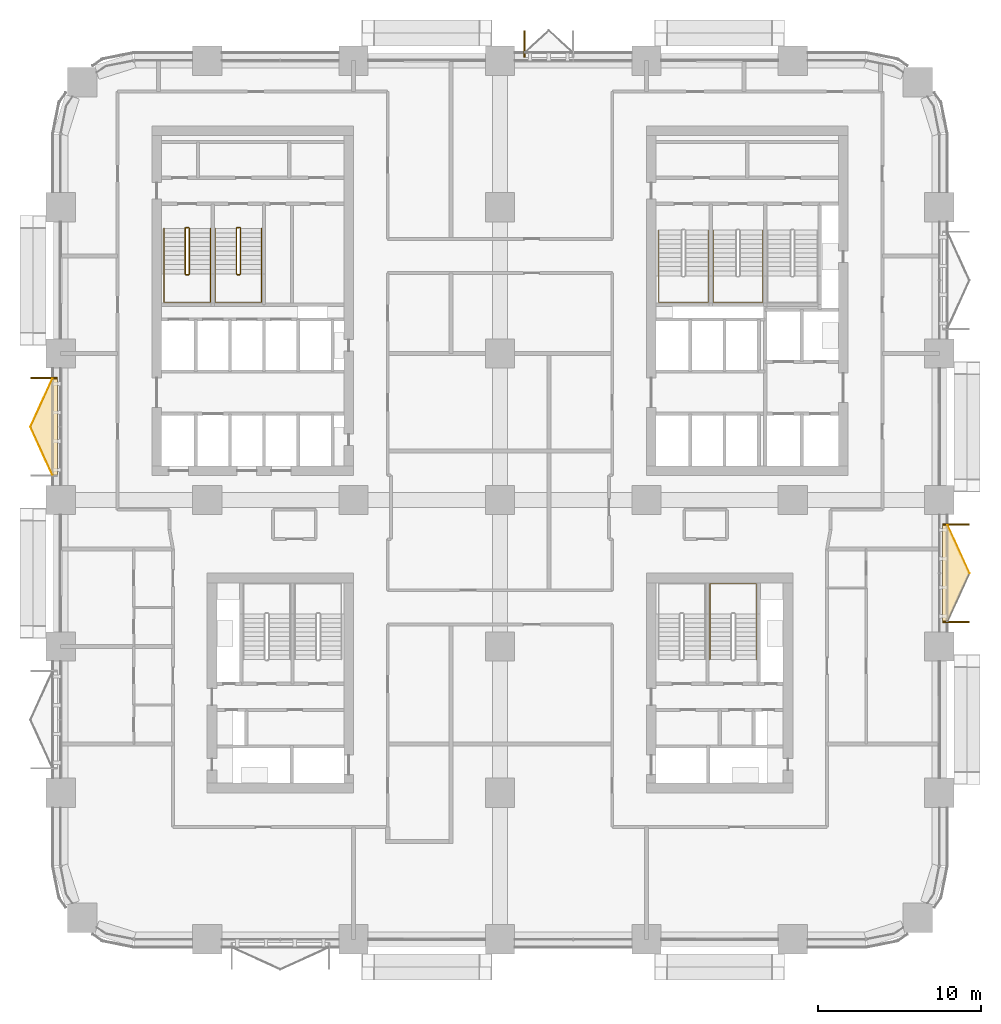
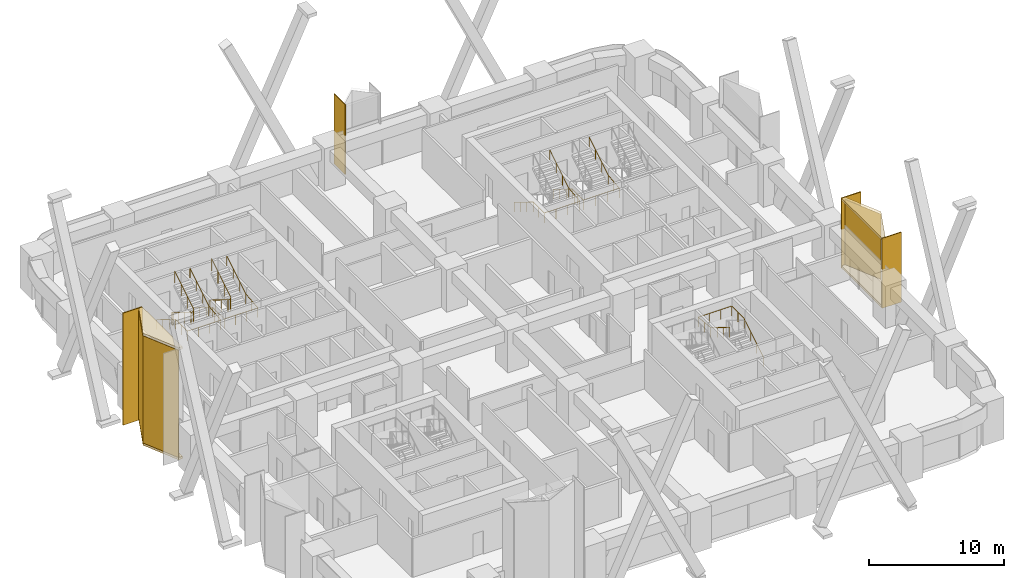
# One storey, part 22 of 23: 11 coverings, 7 railings.
"""IFC4 building model written with IfcOpenShell, lengths in metres."""

from ifc_helpers import new_model, si_unit, direction, frame, origin, origin_2d, place, context, subcontext, project, spatial, polyline, rectangle, circle, outline, extrude, material, layer, layer_set, type_object, element, save


model = new_model("IFC4")

# Units and contexts
model_context = context("Model", 3, precision=1e-05, world=origin(), true_north=direction((0.0, 1.0)))
body_context = subcontext(model_context, "Body", "Model", "MODEL_VIEW")
ifc_project = project(units=[si_unit("LENGTHUNIT", "METRE"), si_unit("AREAUNIT", "SQUARE_METRE"), si_unit("VOLUMEUNIT", "CUBIC_METRE"), si_unit("PLANEANGLEUNIT", "RADIAN"), si_unit("MASSUNIT", "GRAM", prefix="KILO")], contexts=[model_context])

# Site, building, storey
site_placement = place(None, origin())
site = spatial("IfcSite", under=ifc_project, at=site_placement, CompositionType="ELEMENT")
building_placement = place(site_placement, origin())
building = spatial("IfcBuilding", under=site, at=building_placement, Name="Tessera Arch", CompositionType="ELEMENT")
storey_placement = place(building_placement, frame((0.0, 0.0, 46.199951171875)))
storey = spatial("IfcBuildingStorey", under=building, at=storey_placement, Name="L09", CompositionType="ELEMENT", Elevation=46.199951171875)

# Railings
ifc_material_1 = material(Name="Painted steel balustrade", Category="steel")
railing_type_1 = type_object("IfcRailingType", Name="Stair guard 1100", PredefinedType="GUARDRAIL", material=ifc_material_1)
railing_1_placement = place(storey_placement, frame((7.699951171875, 43.75, 0.0)))
element("IfcRailing", 1, at=railing_1_placement, inside=storey, type_object=railing_type_1, Name="L09 S2a stair guard 1", PredefinedType="GUARDRAIL", context=body_context, shape_type="SweptSolid", body=[
    extrude(circle(Radius=0.02392578125, at=origin_2d()), frame((-0.00390625, 0.0, 1.076171875), z_axis=(1.0, 0.0, 0.0), x_axis=(0.0, 1.0, 0.0)), (0.0, 0.0, 1.0), 0.158203125),
    extrude(circle(Radius=0.02392578125, at=origin_2d()), frame((0.153076171875, 0.000732421875, 1.073486328125), z_axis=(-0.743708266585, -0.185927066646, 0.642128600905), x_axis=(0.242535625036, -0.970142500145, 0.0)), (0.0, 0.0, 1.0), 0.277099609375),
    extrude(circle(Radius=0.02392578125, at=origin_2d()), frame((-0.050048828125, -0.046630859375, 1.246826171875), z_axis=(0.0, -0.851089632645, 0.525020415988), x_axis=(1.0, 0.0, 0.0)), (0.0, 0.0, 1.0), 3.2978515625),
    extrude(circle(Radius=0.02392578125, at=origin_2d()), frame((-0.052978515625, -2.84716796875, 2.97607421875), z_axis=(0.708833529934, -0.705375805398, 0.0), x_axis=(0.705375805398, 0.708833529934, 0.0)), (0.0, 0.0, 1.0), 0.07861328125),
    extrude(circle(Radius=0.02392578125, at=origin_2d()), frame((-0.00390625, -2.89990234375, 2.97607421875), z_axis=(1.0, 0.0, 0.0), x_axis=(0.0, 1.0, 0.0)), (0.0, 0.0, 1.0), 0.158203125),
    extrude(circle(Radius=0.02392578125, at=origin_2d()), frame((0.149169921875, -2.90087890625, 2.972412109375), z_axis=(0.26715648603, 0.26715648603, 0.925880566782), x_axis=(-0.707106781187, 0.707106781187, 0.0)), (0.0, 0.0, 1.0), 0.1943359375),
    extrude(circle(Radius=0.02392578125, at=origin_2d()), frame((0.199951171875, -2.853515625, 3.146728515625), z_axis=(0.0, 0.851089632645, 0.525020415988), x_axis=(-1.0, 0.0, 0.0)), (0.0, 0.0, 1.0), 3.2978515625),
    extrude(circle(Radius=0.02099609375, at=origin_2d()), origin(), (0.0, 0.0, 1.0), 1.06396484375),
    extrude(circle(Radius=0.02099609375, at=origin_2d()), frame((0.150146484375, 0.0, 0.0)), (0.0, 0.0, 1.0), 1.06396484375),
    extrude(circle(Radius=0.02099609375, at=origin_2d()), frame((-0.050048828125, -0.050048828125, 0.1728515625)), (0.0, 0.0, 1.0), 1.06396484375),
    extrude(circle(Radius=0.02099609375, at=origin_2d()), frame((-0.050048828125, -0.9833984375, 0.74853515625)), (0.0, 0.0, 1.0), 1.06396484375),
    extrude(circle(Radius=0.02099609375, at=origin_2d()), frame((-0.050048828125, -1.916748046875, 1.324462890625)), (0.0, 0.0, 1.0), 1.06396484375),
    extrude(circle(Radius=0.02099609375, at=origin_2d()), frame((-0.050048828125, -2.85009765625, 1.900146484375)), (0.0, 0.0, 1.0), 1.06396484375),
    extrude(circle(Radius=0.02099609375, at=origin_2d()), frame((0.0, -2.89990234375, 1.900146484375)), (0.0, 0.0, 1.0), 1.06396484375),
    extrude(circle(Radius=0.02099609375, at=origin_2d()), frame((0.150146484375, -2.89990234375, 1.900146484375)), (0.0, 0.0, 1.0), 1.06396484375),
    extrude(circle(Radius=0.02099609375, at=origin_2d()), frame((0.199951171875, -2.85009765625, 2.07275390625)), (0.0, 0.0, 1.0), 1.06396484375),
    extrude(circle(Radius=0.02099609375, at=origin_2d()), frame((0.199951171875, -1.916748046875, 2.6484375)), (0.0, 0.0, 1.0), 1.06396484375),
    extrude(circle(Radius=0.02099609375, at=origin_2d()), frame((0.199951171875, -0.9833984375, 3.224365234375)), (0.0, 0.0, 1.0), 1.06396484375),
    extrude(circle(Radius=0.02099609375, at=origin_2d()), frame((0.199951171875, -0.050048828125, 3.800048828125)), (0.0, 0.0, 1.0), 1.06396484375),
])
railing_2_placement = place(storey_placement, frame((10.85009765625, 43.75, 0.0)))
element("IfcRailing", 2, at=railing_2_placement, inside=storey, type_object=railing_type_1, Name="L09 S2b stair guard 1", PredefinedType="GUARDRAIL", context=body_context, shape_type="SweptSolid", body=[
    extrude(circle(Radius=0.02392578125, at=origin_2d()), frame((-0.00390625, 0.0, 1.076171875), z_axis=(1.0, 0.0, 0.0), x_axis=(0.0, 1.0, 0.0)), (0.0, 0.0, 1.0), 0.157958984375),
    extrude(circle(Radius=0.02392578125, at=origin_2d()), frame((0.15283203125, 0.000732421875, 1.073486328125), z_axis=(-0.743302536996, -0.186052527575, 0.642561900114), x_axis=(0.242814311512, -0.970072785993, 0.0)), (0.0, 0.0, 1.0), 0.277099609375),
    extrude(circle(Radius=0.02392578125, at=origin_2d()), frame((-0.050048828125, -0.046630859375, 1.246826171875), z_axis=(0.0, -0.851089632645, 0.525020415988), x_axis=(1.0, 0.0, 0.0)), (0.0, 0.0, 1.0), 3.2978515625),
    extrude(circle(Radius=0.02392578125, at=origin_2d()), frame((-0.052978515625, -2.84716796875, 2.97607421875), z_axis=(0.708833529934, -0.705375805398, 0.0), x_axis=(0.705375805398, 0.708833529934, 0.0)), (0.0, 0.0, 1.0), 0.07861328125),
    extrude(circle(Radius=0.02392578125, at=origin_2d()), frame((-0.00390625, -2.89990234375, 2.97607421875), z_axis=(1.0, 0.0, 0.0), x_axis=(0.0, 1.0, 0.0)), (0.0, 0.0, 1.0), 0.157958984375),
    extrude(circle(Radius=0.02392578125, at=origin_2d()), frame((0.14892578125, -2.90087890625, 2.972412109375), z_axis=(0.268371968888, 0.267062837333, 0.925556009775), x_axis=(-0.705375805398, 0.708833529934, 0.0)), (0.0, 0.0, 1.0), 0.194580078125),
    extrude(circle(Radius=0.02392578125, at=origin_2d()), frame((0.199951171875, -2.853515625, 3.146728515625), z_axis=(0.0, 0.851089632645, 0.525020415988), x_axis=(-1.0, 0.0, 0.0)), (0.0, 0.0, 1.0), 3.2978515625),
    extrude(circle(Radius=0.02099609375, at=origin_2d()), origin(), (0.0, 0.0, 1.0), 1.06396484375),
    extrude(circle(Radius=0.02099609375, at=origin_2d()), frame((0.14990234375, 0.0, 0.0)), (0.0, 0.0, 1.0), 1.06396484375),
    extrude(circle(Radius=0.02099609375, at=origin_2d()), frame((-0.050048828125, -0.050048828125, 0.1728515625)), (0.0, 0.0, 1.0), 1.06396484375),
    extrude(circle(Radius=0.02099609375, at=origin_2d()), frame((-0.050048828125, -0.9833984375, 0.74853515625)), (0.0, 0.0, 1.0), 1.06396484375),
    extrude(circle(Radius=0.02099609375, at=origin_2d()), frame((-0.050048828125, -1.916748046875, 1.324462890625)), (0.0, 0.0, 1.0), 1.06396484375),
    extrude(circle(Radius=0.02099609375, at=origin_2d()), frame((-0.050048828125, -2.85009765625, 1.900146484375)), (0.0, 0.0, 1.0), 1.06396484375),
    extrude(circle(Radius=0.02099609375, at=origin_2d()), frame((0.0, -2.89990234375, 1.900146484375)), (0.0, 0.0, 1.0), 1.06396484375),
    extrude(circle(Radius=0.02099609375, at=origin_2d()), frame((0.14990234375, -2.89990234375, 1.900146484375)), (0.0, 0.0, 1.0), 1.06396484375),
    extrude(circle(Radius=0.02099609375, at=origin_2d()), frame((0.199951171875, -2.85009765625, 2.07275390625)), (0.0, 0.0, 1.0), 1.06396484375),
    extrude(circle(Radius=0.02099609375, at=origin_2d()), frame((0.199951171875, -1.916748046875, 2.6484375)), (0.0, 0.0, 1.0), 1.06396484375),
    extrude(circle(Radius=0.02099609375, at=origin_2d()), frame((0.199951171875, -0.9833984375, 3.224365234375)), (0.0, 0.0, 1.0), 1.06396484375),
    extrude(circle(Radius=0.02099609375, at=origin_2d()), frame((0.199951171875, -0.050048828125, 3.800048828125)), (0.0, 0.0, 1.0), 1.06396484375),
])
ifc_material_2 = material(Name="Painted steel handrail", Category="steel")
railing_type_2 = type_object("IfcRailingType", Name="Stair handrail 900", PredefinedType="HANDRAIL", material=ifc_material_2)
railing_3_placement = place(storey_placement, frame((36.75, 43.580078125, 0.1728515625)))
element("IfcRailing", 3, at=railing_3_placement, inside=storey, type_object=railing_type_2, Name="L09 S1a stair handrail", PredefinedType="HANDRAIL", context=body_context, shape_type="SweptSolid", body=[
    extrude(circle(Radius=0.02392578125, at=origin_2d()), frame((0.0, 0.00341796875, 0.873779296875), z_axis=(0.0, -0.851089632645, 0.525020415988), x_axis=(1.0, 0.0, 0.0)), (0.0, 0.0, 1.0), 3.2978515625),
    extrude(circle(Radius=0.02392578125, at=origin_2d()), frame((0.0, -2.796142578125, 2.60302734375), z_axis=(0.0, -1.0, 0.0), x_axis=(1.0, 0.0, 0.0)), (0.0, 0.0, 1.0), 1.63818359375),
    extrude(circle(Radius=0.02392578125, at=origin_2d()), frame((-0.00390625, -4.43017578125, 2.60302734375), z_axis=(1.0, 0.0, 0.0), x_axis=(0.0, 1.0, 0.0)), (0.0, 0.0, 1.0), 3.05810546875),
    extrude(circle(Radius=0.02392578125, at=origin_2d()), frame((3.050048828125, -4.43408203125, 2.602783203125), z_axis=(0.0, 0.994440793715, 0.105297235459), x_axis=(-1.0, 0.0, 0.0)), (0.0, 0.0, 1.0), 1.647216796875),
    extrude(circle(Radius=0.02392578125, at=origin_2d()), frame((3.050048828125, -2.803466796875, 2.773681640625), z_axis=(0.0, 0.851089632645, 0.525020415988), x_axis=(-1.0, 0.0, 0.0)), (0.0, 0.0, 1.0), 3.2978515625),
    extrude(circle(Radius=0.02099609375, at=origin_2d()), origin(), (0.0, 0.0, 1.0), 0.86376953125),
    extrude(circle(Radius=0.02099609375, at=origin_2d()), frame((0.0, -0.933349609375, 0.57568359375)), (0.0, 0.0, 1.0), 0.86376953125),
    extrude(circle(Radius=0.02099609375, at=origin_2d()), frame((0.0, -1.86669921875, 1.151611328125)), (0.0, 0.0, 1.0), 0.86376953125),
    extrude(circle(Radius=0.02099609375, at=origin_2d()), frame((0.0, -2.800048828125, 1.727294921875)), (0.0, 0.0, 1.0), 0.86376953125),
    extrude(circle(Radius=0.02099609375, at=origin_2d()), frame((0.0, -3.615234375, 1.727294921875)), (0.0, 0.0, 1.0), 0.86376953125),
    extrude(circle(Radius=0.02099609375, at=origin_2d()), frame((0.0, -4.43017578125, 1.727294921875)), (0.0, 0.0, 1.0), 0.86376953125),
    extrude(circle(Radius=0.02099609375, at=origin_2d()), frame((1.0166015625, -4.43017578125, 1.727294921875)), (0.0, 0.0, 1.0), 0.86376953125),
    extrude(circle(Radius=0.02099609375, at=origin_2d()), frame((2.033447265625, -4.43017578125, 1.727294921875)), (0.0, 0.0, 1.0), 0.86376953125),
    extrude(circle(Radius=0.02099609375, at=origin_2d()), frame((3.050048828125, -4.43017578125, 1.727294921875)), (0.0, 0.0, 1.0), 0.86376953125),
    extrude(circle(Radius=0.02099609375, at=origin_2d()), frame((3.050048828125, -3.615234375, 1.8134765625)), (0.0, 0.0, 1.0), 0.86376953125),
    extrude(circle(Radius=0.02099609375, at=origin_2d()), frame((3.050048828125, -2.800048828125, 1.89990234375)), (0.0, 0.0, 1.0), 0.86376953125),
    extrude(circle(Radius=0.02099609375, at=origin_2d()), frame((3.050048828125, -1.86669921875, 2.4755859375)), (0.0, 0.0, 1.0), 0.86376953125),
    extrude(circle(Radius=0.02099609375, at=origin_2d()), frame((3.050048828125, -0.933349609375, 3.051513671875)), (0.0, 0.0, 1.0), 0.86376953125),
    extrude(circle(Radius=0.02099609375, at=origin_2d()), frame((3.050048828125, 0.0, 3.627197265625)), (0.0, 0.0, 1.0), 0.86376953125),
])
railing_4_placement = place(storey_placement, frame((40.10009765625, 43.580078125, 0.1728515625)))
element("IfcRailing", 4, at=railing_4_placement, inside=storey, type_object=railing_type_2, Name="L09 S1b stair handrail", PredefinedType="HANDRAIL", context=body_context, shape_type="SweptSolid", body=[
    extrude(circle(Radius=0.02392578125, at=origin_2d()), frame((0.0, 0.00341796875, 0.873779296875), z_axis=(0.0, -0.851089632645, 0.525020415988), x_axis=(1.0, 0.0, 0.0)), (0.0, 0.0, 1.0), 3.2978515625),
    extrude(circle(Radius=0.02392578125, at=origin_2d()), frame((0.0, -2.796142578125, 2.60302734375), z_axis=(0.0, -1.0, 0.0), x_axis=(1.0, 0.0, 0.0)), (0.0, 0.0, 1.0), 1.63818359375),
    extrude(circle(Radius=0.02392578125, at=origin_2d()), frame((-0.00390625, -4.43017578125, 2.60302734375), z_axis=(1.0, 0.0, 0.0), x_axis=(0.0, 1.0, 0.0)), (0.0, 0.0, 1.0), 3.057861328125),
    extrude(circle(Radius=0.02392578125, at=origin_2d()), frame((3.0498046875, -4.43408203125, 2.602783203125), z_axis=(0.0, 0.994440793715, 0.105297235459), x_axis=(-1.0, 0.0, 0.0)), (0.0, 0.0, 1.0), 1.647216796875),
    extrude(circle(Radius=0.02392578125, at=origin_2d()), frame((3.0498046875, -2.803466796875, 2.773681640625), z_axis=(0.0, 0.851089632645, 0.525020415988), x_axis=(-1.0, 0.0, 0.0)), (0.0, 0.0, 1.0), 3.2978515625),
    extrude(circle(Radius=0.02099609375, at=origin_2d()), origin(), (0.0, 0.0, 1.0), 0.86376953125),
    extrude(circle(Radius=0.02099609375, at=origin_2d()), frame((0.0, -0.933349609375, 0.57568359375)), (0.0, 0.0, 1.0), 0.86376953125),
    extrude(circle(Radius=0.02099609375, at=origin_2d()), frame((0.0, -1.86669921875, 1.151611328125)), (0.0, 0.0, 1.0), 0.86376953125),
    extrude(circle(Radius=0.02099609375, at=origin_2d()), frame((0.0, -2.800048828125, 1.727294921875)), (0.0, 0.0, 1.0), 0.86376953125),
    extrude(circle(Radius=0.02099609375, at=origin_2d()), frame((0.0, -3.615234375, 1.727294921875)), (0.0, 0.0, 1.0), 0.86376953125),
    extrude(circle(Radius=0.02099609375, at=origin_2d()), frame((0.0, -4.43017578125, 1.727294921875)), (0.0, 0.0, 1.0), 0.86376953125),
    extrude(circle(Radius=0.02099609375, at=origin_2d()), frame((1.0166015625, -4.43017578125, 1.727294921875)), (0.0, 0.0, 1.0), 0.86376953125),
    extrude(circle(Radius=0.02099609375, at=origin_2d()), frame((2.033203125, -4.43017578125, 1.727294921875)), (0.0, 0.0, 1.0), 0.86376953125),
    extrude(circle(Radius=0.02099609375, at=origin_2d()), frame((3.0498046875, -4.43017578125, 1.727294921875)), (0.0, 0.0, 1.0), 0.86376953125),
    extrude(circle(Radius=0.02099609375, at=origin_2d()), frame((3.0498046875, -3.615234375, 1.8134765625)), (0.0, 0.0, 1.0), 0.86376953125),
    extrude(circle(Radius=0.02099609375, at=origin_2d()), frame((3.0498046875, -2.800048828125, 1.89990234375)), (0.0, 0.0, 1.0), 0.86376953125),
    extrude(circle(Radius=0.02099609375, at=origin_2d()), frame((3.0498046875, -1.86669921875, 2.4755859375)), (0.0, 0.0, 1.0), 0.86376953125),
    extrude(circle(Radius=0.02099609375, at=origin_2d()), frame((3.0498046875, -0.933349609375, 3.051513671875)), (0.0, 0.0, 1.0), 0.86376953125),
    extrude(circle(Radius=0.02099609375, at=origin_2d()), frame((3.0498046875, 0.0, 3.627197265625)), (0.0, 0.0, 1.0), 0.86376953125),
])
railing_5_placement = place(storey_placement, frame((6.35009765625, 43.699951171875, 0.1728515625)))
element("IfcRailing", 5, at=railing_5_placement, inside=storey, type_object=railing_type_2, Name="L09 S2a stair handrail", PredefinedType="HANDRAIL", context=body_context, shape_type="SweptSolid", body=[
    extrude(circle(Radius=0.02392578125, at=origin_2d()), frame((0.0, 0.00341796875, 0.873779296875), z_axis=(0.0, -0.851089632645, 0.525020415988), x_axis=(1.0, 0.0, 0.0)), (0.0, 0.0, 1.0), 3.2978515625),
    extrude(circle(Radius=0.02392578125, at=origin_2d()), frame((0.0, -2.796142578125, 2.60302734375), z_axis=(0.0, -1.0, 0.0), x_axis=(1.0, 0.0, 0.0)), (0.0, 0.0, 1.0), 1.758056640625),
    extrude(circle(Radius=0.02392578125, at=origin_2d()), frame((-0.00390625, -4.550048828125, 2.60302734375), z_axis=(1.0, 0.0, 0.0), x_axis=(0.0, 1.0, 0.0)), (0.0, 0.0, 1.0), 2.85791015625),
    extrude(circle(Radius=0.02392578125, at=origin_2d()), frame((2.849853515625, -4.553955078125, 2.602783203125), z_axis=(0.0, 0.995170989745, 0.098156513637), x_axis=(-1.0, 0.0, 0.0)), (0.0, 0.0, 1.0), 1.7666015625),
    extrude(circle(Radius=0.02392578125, at=origin_2d()), frame((2.849853515625, -2.803466796875, 2.773681640625), z_axis=(0.0, 0.851089632645, 0.525020415988), x_axis=(-1.0, 0.0, 0.0)), (0.0, 0.0, 1.0), 3.2978515625),
    extrude(circle(Radius=0.02099609375, at=origin_2d()), origin(), (0.0, 0.0, 1.0), 0.86376953125),
    extrude(circle(Radius=0.02099609375, at=origin_2d()), frame((0.0, -0.933349609375, 0.57568359375)), (0.0, 0.0, 1.0), 0.86376953125),
    extrude(circle(Radius=0.02099609375, at=origin_2d()), frame((0.0, -1.86669921875, 1.151611328125)), (0.0, 0.0, 1.0), 0.86376953125),
    extrude(circle(Radius=0.02099609375, at=origin_2d()), frame((0.0, -2.800048828125, 1.727294921875)), (0.0, 0.0, 1.0), 0.86376953125),
    extrude(circle(Radius=0.02099609375, at=origin_2d()), frame((0.0, -3.675048828125, 1.727294921875)), (0.0, 0.0, 1.0), 0.86376953125),
    extrude(circle(Radius=0.02099609375, at=origin_2d()), frame((0.0, -4.550048828125, 1.727294921875)), (0.0, 0.0, 1.0), 0.86376953125),
    extrude(circle(Radius=0.02099609375, at=origin_2d()), frame((0.949951171875, -4.550048828125, 1.727294921875)), (0.0, 0.0, 1.0), 0.86376953125),
    extrude(circle(Radius=0.02099609375, at=origin_2d()), frame((1.89990234375, -4.550048828125, 1.727294921875)), (0.0, 0.0, 1.0), 0.86376953125),
    extrude(circle(Radius=0.02099609375, at=origin_2d()), frame((2.849853515625, -4.550048828125, 1.727294921875)), (0.0, 0.0, 1.0), 0.86376953125),
    extrude(circle(Radius=0.02099609375, at=origin_2d()), frame((2.849853515625, -3.675048828125, 1.8134765625)), (0.0, 0.0, 1.0), 0.86376953125),
    extrude(circle(Radius=0.02099609375, at=origin_2d()), frame((2.849853515625, -2.800048828125, 1.89990234375)), (0.0, 0.0, 1.0), 0.86376953125),
    extrude(circle(Radius=0.02099609375, at=origin_2d()), frame((2.849853515625, -1.86669921875, 2.4755859375)), (0.0, 0.0, 1.0), 0.86376953125),
    extrude(circle(Radius=0.02099609375, at=origin_2d()), frame((2.849853515625, -0.933349609375, 3.051513671875)), (0.0, 0.0, 1.0), 0.86376953125),
    extrude(circle(Radius=0.02099609375, at=origin_2d()), frame((2.849853515625, 0.0, 3.627197265625)), (0.0, 0.0, 1.0), 0.86376953125),
])
railing_6_placement = place(storey_placement, frame((9.5, 43.699951171875, 0.1728515625)))
element("IfcRailing", 6, at=railing_6_placement, inside=storey, type_object=railing_type_2, Name="L09 S2b stair handrail", PredefinedType="HANDRAIL", context=body_context, shape_type="SweptSolid", body=[
    extrude(circle(Radius=0.02392578125, at=origin_2d()), frame((0.0, 0.00341796875, 0.873779296875), z_axis=(0.0, -0.851089632645, 0.525020415988), x_axis=(1.0, 0.0, 0.0)), (0.0, 0.0, 1.0), 3.2978515625),
    extrude(circle(Radius=0.02392578125, at=origin_2d()), frame((0.0, -2.796142578125, 2.60302734375), z_axis=(0.0, -1.0, 0.0), x_axis=(1.0, 0.0, 0.0)), (0.0, 0.0, 1.0), 1.758056640625),
    extrude(circle(Radius=0.02392578125, at=origin_2d()), frame((-0.00390625, -4.550048828125, 2.60302734375), z_axis=(1.0, 0.0, 0.0), x_axis=(0.0, 1.0, 0.0)), (0.0, 0.0, 1.0), 2.858154296875),
    extrude(circle(Radius=0.02392578125, at=origin_2d()), frame((2.85009765625, -4.553955078125, 2.602783203125), z_axis=(0.0, 0.995170989745, 0.098156513637), x_axis=(-1.0, 0.0, 0.0)), (0.0, 0.0, 1.0), 1.7666015625),
    extrude(circle(Radius=0.02392578125, at=origin_2d()), frame((2.85009765625, -2.803466796875, 2.773681640625), z_axis=(0.0, 0.851089632645, 0.525020415988), x_axis=(-1.0, 0.0, 0.0)), (0.0, 0.0, 1.0), 3.2978515625),
    extrude(circle(Radius=0.02099609375, at=origin_2d()), origin(), (0.0, 0.0, 1.0), 0.86376953125),
    extrude(circle(Radius=0.02099609375, at=origin_2d()), frame((0.0, -0.933349609375, 0.57568359375)), (0.0, 0.0, 1.0), 0.86376953125),
    extrude(circle(Radius=0.02099609375, at=origin_2d()), frame((0.0, -1.86669921875, 1.151611328125)), (0.0, 0.0, 1.0), 0.86376953125),
    extrude(circle(Radius=0.02099609375, at=origin_2d()), frame((0.0, -2.800048828125, 1.727294921875)), (0.0, 0.0, 1.0), 0.86376953125),
    extrude(circle(Radius=0.02099609375, at=origin_2d()), frame((0.0, -3.675048828125, 1.727294921875)), (0.0, 0.0, 1.0), 0.86376953125),
    extrude(circle(Radius=0.02099609375, at=origin_2d()), frame((0.0, -4.550048828125, 1.727294921875)), (0.0, 0.0, 1.0), 0.86376953125),
    extrude(circle(Radius=0.02099609375, at=origin_2d()), frame((0.949951171875, -4.550048828125, 1.727294921875)), (0.0, 0.0, 1.0), 0.86376953125),
    extrude(circle(Radius=0.02099609375, at=origin_2d()), frame((1.900146484375, -4.550048828125, 1.727294921875)), (0.0, 0.0, 1.0), 0.86376953125),
    extrude(circle(Radius=0.02099609375, at=origin_2d()), frame((2.85009765625, -4.550048828125, 1.727294921875)), (0.0, 0.0, 1.0), 0.86376953125),
    extrude(circle(Radius=0.02099609375, at=origin_2d()), frame((2.85009765625, -3.675048828125, 1.8134765625)), (0.0, 0.0, 1.0), 0.86376953125),
    extrude(circle(Radius=0.02099609375, at=origin_2d()), frame((2.85009765625, -2.800048828125, 1.89990234375)), (0.0, 0.0, 1.0), 0.86376953125),
    extrude(circle(Radius=0.02099609375, at=origin_2d()), frame((2.85009765625, -1.86669921875, 2.4755859375)), (0.0, 0.0, 1.0), 0.86376953125),
    extrude(circle(Radius=0.02099609375, at=origin_2d()), frame((2.85009765625, -0.933349609375, 3.051513671875)), (0.0, 0.0, 1.0), 0.86376953125),
    extrude(circle(Radius=0.02099609375, at=origin_2d()), frame((2.85009765625, 0.0, 3.627197265625)), (0.0, 0.0, 1.0), 0.86376953125),
])
railing_7_placement = place(storey_placement, frame((42.75, 17.199951171875, 0.1728515625)))
element("IfcRailing", 7, at=railing_7_placement, inside=storey, type_object=railing_type_2, Name="L09 S3b stair handrail", PredefinedType="HANDRAIL", context=body_context, shape_type="SweptSolid", body=[
    extrude(circle(Radius=0.02392578125, at=origin_2d()), frame((0.0, -0.00341796875, 0.873779296875), z_axis=(0.0, 0.851089632645, 0.525020415988), x_axis=(-1.0, 0.0, 0.0)), (0.0, 0.0, 1.0), 3.2978515625),
    extrude(circle(Radius=0.02392578125, at=origin_2d()), frame((0.0, 2.796142578125, 2.60302734375), z_axis=(0.0, 1.0, 0.0), x_axis=(-1.0, 0.0, 0.0)), (0.0, 0.0, 1.0), 1.858154296875),
    extrude(circle(Radius=0.02392578125, at=origin_2d()), frame((0.00390625, 4.650146484375, 2.60302734375), z_axis=(-1.0, 0.0, 0.0), x_axis=(0.0, -1.0, 0.0)), (0.0, 0.0, 1.0), 2.858154296875),
    extrude(circle(Radius=0.02392578125, at=origin_2d()), frame((-2.85009765625, 4.654052734375, 2.602783203125), z_axis=(0.0, -0.995676099079, 0.092892979948), x_axis=(1.0, 0.0, 0.0)), (0.0, 0.0, 1.0), 1.8662109375),
    extrude(circle(Radius=0.02392578125, at=origin_2d()), frame((-2.85009765625, 2.803466796875, 2.773681640625), z_axis=(0.0, -0.851089632645, 0.525020415988), x_axis=(1.0, 0.0, 0.0)), (0.0, 0.0, 1.0), 3.2978515625),
    extrude(circle(Radius=0.02099609375, at=origin_2d()), origin(), (0.0, 0.0, 1.0), 0.86376953125),
    extrude(circle(Radius=0.02099609375, at=origin_2d()), frame((0.0, 0.933349609375, 0.57568359375)), (0.0, 0.0, 1.0), 0.86376953125),
    extrude(circle(Radius=0.02099609375, at=origin_2d()), frame((0.0, 1.86669921875, 1.151611328125)), (0.0, 0.0, 1.0), 0.86376953125),
    extrude(circle(Radius=0.02099609375, at=origin_2d()), frame((0.0, 2.800048828125, 1.727294921875)), (0.0, 0.0, 1.0), 0.86376953125),
    extrude(circle(Radius=0.02099609375, at=origin_2d()), frame((0.0, 3.72509765625, 1.727294921875)), (0.0, 0.0, 1.0), 0.86376953125),
    extrude(circle(Radius=0.02099609375, at=origin_2d()), frame((0.0, 4.650146484375, 1.727294921875)), (0.0, 0.0, 1.0), 0.86376953125),
    extrude(circle(Radius=0.02099609375, at=origin_2d()), frame((-0.949951171875, 4.650146484375, 1.727294921875)), (0.0, 0.0, 1.0), 0.86376953125),
    extrude(circle(Radius=0.02099609375, at=origin_2d()), frame((-1.900146484375, 4.650146484375, 1.727294921875)), (0.0, 0.0, 1.0), 0.86376953125),
    extrude(circle(Radius=0.02099609375, at=origin_2d()), frame((-2.85009765625, 4.650146484375, 1.727294921875)), (0.0, 0.0, 1.0), 0.86376953125),
    extrude(circle(Radius=0.02099609375, at=origin_2d()), frame((-2.85009765625, 3.72509765625, 1.8134765625)), (0.0, 0.0, 1.0), 0.86376953125),
    extrude(circle(Radius=0.02099609375, at=origin_2d()), frame((-2.85009765625, 2.800048828125, 1.89990234375)), (0.0, 0.0, 1.0), 0.86376953125),
    extrude(circle(Radius=0.02099609375, at=origin_2d()), frame((-2.85009765625, 1.86669921875, 2.4755859375)), (0.0, 0.0, 1.0), 0.86376953125),
    extrude(circle(Radius=0.02099609375, at=origin_2d()), frame((-2.85009765625, 0.933349609375, 3.051513671875)), (0.0, 0.0, 1.0), 0.86376953125),
    extrude(circle(Radius=0.02099609375, at=origin_2d()), frame((-2.85009765625, 0.0, 3.627197265625)), (0.0, 0.0, 1.0), 0.86376953125),
])

# Coverings
ifc_material_3 = material(Name="Anodised aluminium pale metal", Category="aluminium")
ifc_layer_1 = layer(ifc_material_3, 0.080078125)
ifc_layer_set_1 = layer_set([ifc_layer_1], Name="Window box cheek")
covering_type_1 = type_object("IfcCoveringType", Name="Window box cheek", PredefinedType="CLADDING", material=ifc_layer_set_1)
covering_1_placement = place(storey_placement, origin())
element("IfcCovering", 8, at=covering_1_placement, inside=storey, type_object=covering_type_1, Name="Window box N54.0/2.1 1x2 cheek", PredefinedType="CLADDING", context=body_context, shape_type="SweptSolid", body=[
    extrude(outline(polyline([(28.550048828125, 55.85009765625), (28.469970703125, 55.85009765625), (28.469970703125, 54.199951171875), (28.550048828125, 54.199951171875), (28.550048828125, 55.85009765625)])), origin(), (0.0, 0.0, 1.0), 6.300048828125),
])
covering_2_placement = place(storey_placement, origin())
element("IfcCovering", 9, at=covering_2_placement, inside=storey, type_object=covering_type_1, Name="Window box W0.0/2.0 2x3 cheek", PredefinedType="CLADDING", context=body_context, shape_type="SweptSolid", body=[
    extrude(outline(polyline([(-1.85009765625, 34.530029296875), (-1.85009765625, 34.449951171875), (-0.199951171875, 34.449951171875), (-0.199951171875, 34.530029296875), (-1.85009765625, 34.530029296875)])), origin(), (0.0, 0.0, 1.0), 10.10009765625),
])
covering_3_placement = place(storey_placement, origin())
element("IfcCovering", 10, at=covering_3_placement, inside=storey, type_object=covering_type_1, Name="Window box E54.0/2.0 2x2 cheek", PredefinedType="CLADDING", context=body_context, shape_type="SweptSolid", body=[
    extrude(outline(polyline([(55.85009765625, 19.469970703125), (55.85009765625, 19.550048828125), (54.199951171875, 19.550048828125), (54.199951171875, 19.469970703125), (55.85009765625, 19.469970703125)])), origin(), (0.0, 0.0, 1.0), 6.300048828125),
])
covering_4_placement = place(storey_placement, origin())
element("IfcCovering", 11, at=covering_4_placement, inside=storey, type_object=covering_type_1, Name="Window box E54.0/2.0 2x2 cheek", PredefinedType="CLADDING", context=body_context, shape_type="SweptSolid", body=[
    extrude(outline(polyline([(55.85009765625, 25.449951171875), (55.85009765625, 25.530029296875), (54.199951171875, 25.530029296875), (54.199951171875, 25.449951171875), (55.85009765625, 25.449951171875)])), origin(), (0.0, 0.0, 1.0), 6.300048828125),
])
ifc_material_4 = material(Name="Anodised aluminium pale metal", Category="aluminium")
ifc_layer_2 = layer(ifc_material_4, 0.219970703125)
ifc_layer_set_2 = layer_set([ifc_layer_2], Name="Window box frame plate pale metal")
covering_type_2 = type_object("IfcCoveringType", Name="Window box frame plate pale metal", PredefinedType="CLADDING", material=ifc_layer_set_2)
for number, where, name in (
    (12, (0.0, 0.0, 0.0), "Window box W0.0/2.0 2x3 floor"),
    (13, (0.0, 0.0, 9.880126953125), "Window box W0.0/2.0 2x3 roof"),
):
    element("IfcCovering", number, at=place(storey_placement, frame(where)), inside=storey, type_object=covering_type_2, Name=name, PredefinedType="CLADDING", context=body_context, shape_type="SweptSolid", body=[
        extrude(outline(polyline([(-0.510009765625, 34.449951171875), (-1.85009765625, 31.5), (-0.510009765625, 28.550048828125), (-0.199951171875, 28.550048828125), (-0.199951171875, 34.449951171875), (-0.510009765625, 34.449951171875)])), origin(), (0.0, 0.0, 1.0), 0.219970703125),
    ])
for number, where, name in (
    (14, (0.0, 0.0, 0.0), "Window box E54.0/2.0 2x2 floor"),
    (15, (0.0, 0.0, 6.080078125), "Window box E54.0/2.0 2x2 roof"),
):
    element("IfcCovering", number, at=place(storey_placement, frame(where)), inside=storey, type_object=covering_type_2, Name=name, PredefinedType="CLADDING", context=body_context, shape_type="SweptSolid", body=[
        extrude(outline(polyline([(54.510009765625, 19.550048828125), (55.85009765625, 22.5), (54.510009765625, 25.449951171875), (54.199951171875, 25.449951171875), (54.199951171875, 19.550048828125), (54.510009765625, 19.550048828125)])), origin(), (0.0, 0.0, 1.0), 0.219970703125),
    ])
ifc_material_5 = material(Name="Anodised aluminium pale metal", Category="aluminium")
ifc_layer_3 = layer(ifc_material_5, 0.028076171875)
ifc_layer_set_3 = layer_set([ifc_layer_3], Name="Window box side panel")
covering_type_3 = type_object("IfcCoveringType", Name="Window box side panel", PredefinedType="CLADDING", material=ifc_layer_set_3)
for number, where, z_axis, x_axis, name in (
    (16, (-1.179931640625, 32.97509765625, 0.22021484375), (0.0, 0.0, 1.0), (-0.413570397858, -0.910472144558, 0.0), "Window box W0.0/2.0 2x3 side panel"),
    (17, (-1.179931640625, 30.02490234375, 0.22021484375), (0.0, 0.0, 1.0), (-0.413570397858, 0.910472144558, 0.0), "Window box W0.0/2.0 2x3 side panel"),
):
    element("IfcCovering", number, at=place(storey_placement, frame(where, z_axis=z_axis, x_axis=x_axis)), inside=storey, type_object=covering_type_3, Name=name, PredefinedType="CLADDING", context=body_context, shape_type="SweptSolid", body=[
        extrude(rectangle(XDim=3.239990234375, YDim=0.028076171875, at=origin_2d()), origin(), (0.0, 0.0, 1.0), 9.659912109375),
    ])
covering_5_placement = place(storey_placement, frame((55.179931640625, 23.97509765625, 0.22021484375), z_axis=(0.0, 0.0, 1.0), x_axis=(0.413570397858, -0.910472144558, 0.0)))
element("IfcCovering", 18, at=covering_5_placement, inside=storey, type_object=covering_type_3, Name="Window box E54.0/2.0 2x2 side panel", PredefinedType="CLADDING", context=body_context, shape_type="SweptSolid", body=[
    extrude(rectangle(XDim=3.239990234375, YDim=0.028076171875, at=origin_2d()), origin(), (0.0, 0.0, 1.0), 5.860107421875),
])

save(model, "model.ifc")
